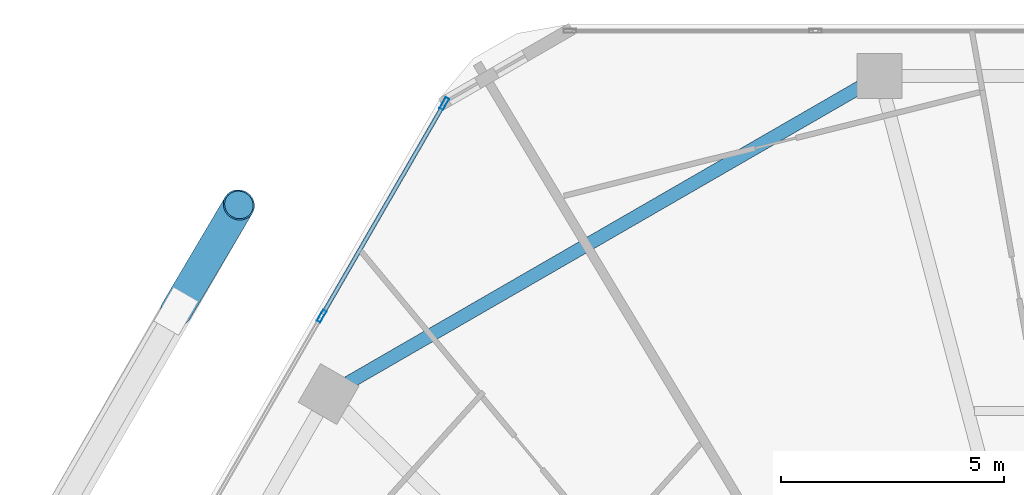
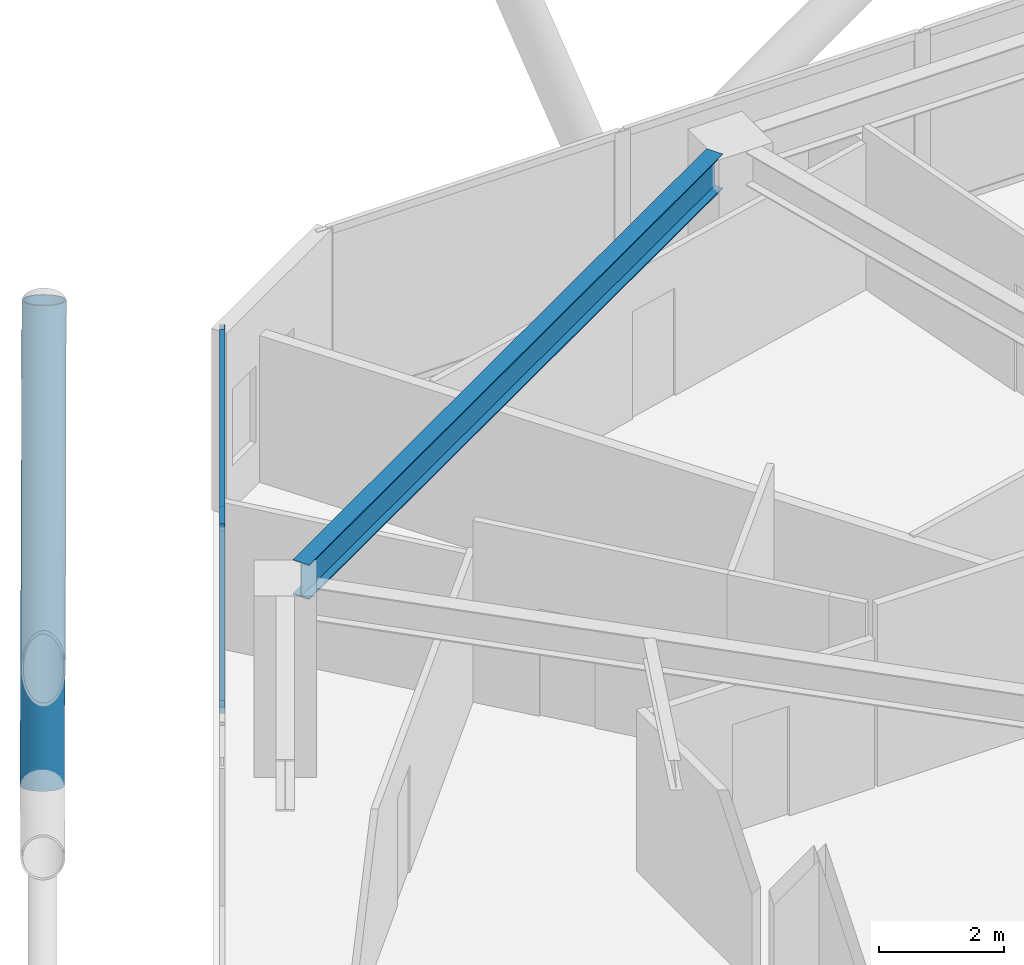
# One storey, part 13 of 28: 5 members, 1 beam, 1 element without a shape of its own.
"""IFC4 building model written with IfcOpenShell, lengths in metres."""

import ifcopenshell
import ifcopenshell.guid

model = None  # the IFC model being written
_history = None  # IfcOwnerHistory: only IFC2X3 demands one
_inside = {}  # id of a spatial element -> (the spatial element, [elements in it])
_under = {}  # id of a project, library or spatial element -> (it, [spatial elements below it])
_declared = {}  # id of a project -> (the project, [libraries it declares])
_typed = {}  # id of a type object -> (the type object, [elements of that type])
_made_of = {}  # id of a material, layer set ... -> (it, [elements and type objects made of it])


def new_model(schema):
    """Start an empty IFC model of exactly this schema.

    Asked for "IFC4X3", IfcOpenShell would pick the latest addendum, in which some entities
    have other attributes; the version numbers below select the first issue.
    IFC2X3 requires an IfcOwnerHistory on every rooted entity: one is made here for all.
    """
    global model, _history
    if schema == "IFC4X3":
        model = ifcopenshell.file(schema_version=(4, 3, 0, 0))
    else:
        model = ifcopenshell.file(schema=schema)
    _inside.clear()
    _under.clear()
    _declared.clear()
    _typed.clear()
    _made_of.clear()
    _history = None
    if model.schema == "IFC2X3":
        org = make("IfcOrganization", Name="unknown")
        user = make(
            "IfcPersonAndOrganization",
            ThePerson=make("IfcPerson", FamilyName="unknown"),
            TheOrganization=org,
        )
        app = make(
            "IfcApplication",
            ApplicationDeveloper=org,
            Version="unknown",
            ApplicationFullName="unknown",
            ApplicationIdentifier="unknown",
        )
        _history = make(
            "IfcOwnerHistory",
            OwningUser=user,
            OwningApplication=app,
            ChangeAction="ADDED",
            CreationDate=0,
        )
    return model


def make(cls, **values):
    """One entity of the class cls with the attributes given. An attribute that is None is left unset."""
    return model.create_entity(
        cls, **{name: value for name, value in values.items() if value is not None}
    )


def rooted(cls, **values):
    """An entity with a GlobalId (a new one), such as an element, a storey or a relation."""
    return make(cls, GlobalId=ifcopenshell.guid.new(), OwnerHistory=_history, **values)


def si_unit(unit_type, name, prefix=None):
    """IfcSIUnit, for example si_unit("LENGTHUNIT", "METRE", prefix="MILLI")."""
    return make("IfcSIUnit", UnitType=unit_type, Prefix=prefix, Name=name)


def assignment(units):
    """IfcUnitAssignment: the units of a project."""
    return None if units is None else make("IfcUnitAssignment", Units=units)


def point(xyz):
    """IfcCartesianPoint."""
    return None if xyz is None else make("IfcCartesianPoint", Coordinates=xyz)


def direction(xyz):
    """IfcDirection."""
    return None if xyz is None else make("IfcDirection", DirectionRatios=xyz)


def frame(location, z_axis=None, x_axis=None):
    """IfcAxis2Placement3D, a coordinate frame: its origin and axes. An axis left out is left unset."""
    return make(
        "IfcAxis2Placement3D",
        Location=point(location),
        Axis=direction(z_axis),
        RefDirection=direction(x_axis),
    )


def frame_2d(location, x_axis=None):
    """IfcAxis2Placement2D, a coordinate frame in the plane: its origin and x axis."""
    return make(
        "IfcAxis2Placement2D", Location=point(location), RefDirection=direction(x_axis)
    )


def origin():
    """The frame at (0, 0, 0) with its axes left unset."""
    return frame((0.0, 0.0, 0.0))


def origin_2d():
    """The frame at (0, 0) in the plane with its x axis left unset."""
    return frame_2d((0.0, 0.0))


def place(relative_to, where):
    """IfcLocalPlacement: puts the frame where relative to a parent placement (None: the world)."""
    return make(
        "IfcLocalPlacement", PlacementRelTo=relative_to, RelativePlacement=where
    )


def context(
    kind, dimensions, precision=None, world=None, true_north=None, identifier=None
):
    """IfcGeometricRepresentationContext, for example the 3D "Model" context."""
    return make(
        "IfcGeometricRepresentationContext",
        ContextIdentifier=identifier,
        ContextType=kind,
        CoordinateSpaceDimension=dimensions,
        Precision=precision,
        WorldCoordinateSystem=world,
        TrueNorth=true_north,
    )


def subcontext(parent, identifier, kind, view, scale=None):
    """IfcGeometricRepresentationSubContext, for example "Body" below "Model"."""
    return make(
        "IfcGeometricRepresentationSubContext",
        ContextIdentifier=identifier,
        ContextType=kind,
        ParentContext=parent,
        TargetScale=scale,
        TargetView=view,
    )


def project(units=None, contexts=None):
    """IfcProject with its units and contexts."""
    return rooted(
        "IfcProject",
        Name="project",
        RepresentationContexts=contexts,
        UnitsInContext=assignment(units),
    )


def spatial(cls, under=None, at=None, **own):
    """A site, building, storey or space (cls), placed at a placement, below another one or the project."""
    s = rooted(cls, ObjectPlacement=at, **own)
    if under is not None:
        _under.setdefault(under.id(), (under, []))[1].append(s)
    return s


def profile(cls, at=None, kind="AREA", **sizes):
    """A parametric profile (cls). Its sizes go by their IFC names, for example OverallWidth=200.0."""
    return make(cls, ProfileType=kind, Position=at, **sizes)


def hollow_rectangle(**sizes):
    """IfcRectangleHollowProfileDef."""
    return profile("IfcRectangleHollowProfileDef", **sizes)


def hollow_circle(**sizes):
    """IfcCircleHollowProfileDef."""
    return profile("IfcCircleHollowProfileDef", **sizes)


def i_section(**sizes):
    """IfcIShapeProfileDef."""
    return profile("IfcIShapeProfileDef", **sizes)


def extrude(swept, where, along, depth):
    """IfcExtrudedAreaSolid: the profile swept, set in the frame where, extruded along a direction by depth."""
    return make(
        "IfcExtrudedAreaSolid",
        SweptArea=swept,
        Position=where,
        ExtrudedDirection=direction(along),
        Depth=depth,
    )


def shape(context_of_items, identifier, shape_type, items):
    """IfcShapeRepresentation: the items that make up one representation, for example the "Body"."""
    return make(
        "IfcShapeRepresentation",
        ContextOfItems=context_of_items,
        RepresentationIdentifier=identifier,
        RepresentationType=shape_type,
        Items=items,
    )


def material(Name=None, Category=None):
    """IfcMaterial."""
    return make("IfcMaterial", Name=Name, Category=Category)


def material_profile(
    of_material, cross_section, Name=None, Category=None, Priority=None
):
    """IfcMaterialProfile: a cross section and its material."""
    return make(
        "IfcMaterialProfile",
        Name=Name,
        Material=of_material,
        Profile=cross_section,
        Priority=Priority,
        Category=Category,
    )


def profile_set(profiles, Name=None, composite=None):
    """IfcMaterialProfileSet."""
    return make(
        "IfcMaterialProfileSet",
        Name=Name,
        MaterialProfiles=profiles,
        CompositeProfile=composite,
    )


def made_of(thing, what):
    """Note that an element or type object is made of a material, layer set ...; save() writes the relation."""
    if what is not None:
        _made_of.setdefault(what.id(), (what, []))[1].append(thing)
    return thing


def type_object(cls, material=None, **own):
    """A type object (cls), such as IfcWallType, which elements share."""
    return made_of(rooted(cls, **own), material)


def element(
    cls,
    number,
    at=None,
    inside=None,
    cuts=None,
    type_object=None,
    material=None,
    context=None,
    identifier="Body",
    shape_type=None,
    held_by="IfcProductDefinitionShape",
    body=None,
    shapes=None,
    **own,
):
    """One element of the class cls, such as IfcWall. Its Tag is "e" and its number.

    at: its placement. inside: the storey or other place that contains it. cuts: it is an
    opening in that element (IfcRelVoidsElement). A single representation is given by context,
    identifier, shape_type and body (its items); several are given by shapes. held_by: the class
    of the entity that holds the representations. save() writes the other relations.
    """
    e = rooted(cls, Tag="e%d" % number, ObjectPlacement=at, **own)
    if body is not None:
        shapes = [shape(context, identifier, shape_type, body)]
    if shapes is not None:
        e.Representation = make(held_by, Representations=shapes)
    if inside is not None:
        _inside.setdefault(inside.id(), (inside, []))[1].append(e)
    if cuts is not None:
        rooted(
            "IfcRelVoidsElement", RelatingBuildingElement=cuts, RelatedOpeningElement=e
        )
    if type_object is not None:
        _typed.setdefault(type_object.id(), (type_object, []))[1].append(e)
    return made_of(e, material)


def aggregate(whole, parts):
    """IfcRelAggregates: a whole, such as a stair, and the parts it consists of."""
    return rooted("IfcRelAggregates", RelatingObject=whole, RelatedObjects=parts)


def save(model, path):
    """Write the relations noted so far, then the file.

    IfcRelAggregates (storeys below a building ...), IfcRelContainedInSpatialStructure (elements
    in a storey), IfcRelDefinesByType, IfcRelAssociatesMaterial and IfcRelDeclares: one each for
    every whole, place, type object, material and project.
    """
    for whole, parts in _under.values():
        aggregate(whole, parts)
    for where, things in _inside.values():
        rooted(
            "IfcRelContainedInSpatialStructure",
            RelatedElements=things,
            RelatingStructure=where,
        )
    for kind, things in _typed.values():
        rooted("IfcRelDefinesByType", RelatedObjects=things, RelatingType=kind)
    for what, things in _made_of.values():
        rooted("IfcRelAssociatesMaterial", RelatedObjects=things, RelatingMaterial=what)
    for by, libraries in _declared.values():
        rooted("IfcRelDeclares", RelatingContext=by, RelatedDefinitions=libraries)
    model.write(path)


model = new_model("IFC4")

# Units and contexts
model_context = context("Model", 3, precision=1e-05, world=origin(), true_north=direction((0.0, 1.0)))
body_context = subcontext(model_context, "Body", "Model", "MODEL_VIEW")
ifc_project = project(units=[si_unit("LENGTHUNIT", "METRE"), si_unit("AREAUNIT", "SQUARE_METRE"), si_unit("VOLUMEUNIT", "CUBIC_METRE"), si_unit("PLANEANGLEUNIT", "RADIAN"), si_unit("MASSUNIT", "GRAM", prefix="KILO")], contexts=[model_context])

# Site, building, storey
site_placement = place(None, origin())
site = spatial("IfcSite", under=ifc_project, at=site_placement, CompositionType="ELEMENT")
building_placement = place(site_placement, origin())
building = spatial("IfcBuilding", under=site, at=building_placement, Name="Zuhravey Tower", CompositionType="ELEMENT")
storey_placement = place(building_placement, frame((0.0, 0.0, 169.39990234375)))
storey = spatial("IfcBuildingStorey", under=building, at=storey_placement, Name="L42", CompositionType="ELEMENT", Elevation=169.39990234375)

# Curtain wall, members
ifc_material_1 = material(Name="Thermally broken anodised aluminium", Category="aluminium")
curtain_wall_type = type_object("IfcCurtainWallType", Name="Zone 1-2 Residential Curtain Wall CW3", PredefinedType="NOTDEFINED", material=ifc_material_1)
curtain_wall_placement = place(storey_placement, origin())
curtain_wall = element("IfcCurtainWall", 1, at=curtain_wall_placement, inside=storey, type_object=curtain_wall_type, Name="L42 CW3 CW-L42-F3-1", PredefinedType="NOTDEFINED")
ifc_material_2 = material(Name="Anodised aluminium", Category="aluminium")
ifc_material_profile_1 = material_profile(ifc_material_2, hollow_rectangle(XDim=0.090087890625, YDim=0.284912109375, WallThickness=0.0048828125, at=origin_2d()), Name="ALU-RHS-90x285x5")
ifc_profile_set_1 = profile_set([ifc_material_profile_1], Name="Anodised aluminium")
member_type_1 = type_object("IfcMemberType", Name="Curtain-Wall Mullion 90x180", PredefinedType="MULLION", material=ifc_profile_set_1)
member_1_placement = place(storey_placement, frame((16.6171875, 52.7939453125, 0.0), z_axis=(0.0, 0.0, 1.0), x_axis=(-0.866025138215, 0.500000459979, 0.0)))
member_1 = element("IfcMember", 2, at=member_1_placement, type_object=member_type_1, Name="CW3 mullion 5", PredefinedType="MULLION", context=body_context, shape_type="SweptSolid", body=[
    extrude(hollow_rectangle(XDim=0.090087890625, YDim=0.284912109375, WallThickness=0.0048828125, at=origin_2d()), origin(), (0.0, 0.0, 1.0), 3.550048828125),
])
member_2_placement = place(storey_placement, frame((19.36669921875, 57.556640625, 0.0), z_axis=(0.0, 0.0, 1.0), x_axis=(-0.866025138215, 0.500000459979, 0.0)))
member_2 = element("IfcMember", 3, at=member_2_placement, type_object=member_type_1, Name="CW3 mullion 6", PredefinedType="MULLION", context=body_context, shape_type="SweptSolid", body=[
    extrude(hollow_rectangle(XDim=0.090087890625, YDim=0.284912109375, WallThickness=0.0048828125, at=origin_2d()), origin(), (0.0, 0.0, 1.0), 3.550048828125),
])
ifc_material_profile_2 = material_profile(ifc_material_2, hollow_rectangle(XDim=0.090087890625, YDim=0.14990234375, WallThickness=0.0048828125, at=origin_2d()), Name="ALU-RHS-90x150x5")
ifc_profile_set_2 = profile_set([ifc_material_profile_2], Name="Anodised aluminium")
member_type_2 = type_object("IfcMemberType", Name="Curtain-Wall Transom 90x150", PredefinedType="USERDEFINED", material=ifc_profile_set_2)
member_3_placement = place(storey_placement, frame((16.6396484375, 52.8330078125, 0.045166015625), z_axis=(0.499993332629, 0.866029253159, 0.0), x_axis=(-0.866029253159, 0.499993332629, 0.0)))
member_3 = element("IfcMember", 4, at=member_3_placement, type_object=member_type_2, Name="CW3 transom 5.1", ObjectType="TRANSOM", PredefinedType="USERDEFINED", context=body_context, shape_type="SweptSolid", body=[
    extrude(hollow_rectangle(XDim=0.090087890625, YDim=0.14990234375, WallThickness=0.0048828125, at=origin_2d()), origin(), (0.0, 0.0, 1.0), 5.4091796875),
])
member_4_placement = place(storey_placement, frame((16.6396484375, 52.8330078125, 3.505126953125), z_axis=(0.499993332629, 0.866029253159, 0.0), x_axis=(-0.866029253159, 0.499993332629, 0.0)))
member_4 = element("IfcMember", 5, at=member_4_placement, type_object=member_type_2, Name="CW3 transom 5.2", ObjectType="TRANSOM", PredefinedType="USERDEFINED", context=body_context, shape_type="SweptSolid", body=[
    extrude(hollow_rectangle(XDim=0.090087890625, YDim=0.14990234375, WallThickness=0.0048828125, at=origin_2d()), origin(), (0.0, 0.0, 1.0), 5.4091796875),
])
aggregate(curtain_wall, [member_1, member_2, member_3, member_4])

# Member
ifc_material_3 = material(Name="Steel SM460", Category="steel")
ifc_material_profile_3 = material_profile(ifc_material_3, hollow_circle(Radius=0.355712890625, WallThickness=0.031982421875, at=origin_2d()), Name="CHS-711.2x32")
ifc_profile_set_3 = profile_set([ifc_material_profile_3], Name="Steel SM460")
member_type_3 = type_object("IfcMemberType", Name="Exoskeleton Zone 2 Diagrid CHS711x32", PredefinedType="BRACE", material=ifc_profile_set_3)
member_5_placement = place(storey_placement, frame((13.358642578125, 52.910400390625, -0.44384765625), z_axis=(0.174643023153, 0.295076026787, 0.939377428343), x_axis=(-0.8605687688, 0.509334265651, 0.0)))
element("IfcMember", 6, at=member_5_placement, inside=storey, type_object=member_type_3, Name="L42 Face 3 Diagrid Brace 1", PredefinedType="BRACE", context=body_context, shape_type="SweptSolid", body=[
    extrude(hollow_circle(Radius=0.355712890625, WallThickness=0.031982421875, at=origin_2d()), origin(), (0.0, 0.0, 1.0), 8.0478515625),
])

# Beam
ifc_material_4 = material(Name="Steel SM355", Category="steel")
ifc_material_profile_4 = material_profile(ifc_material_4, i_section(OverallWidth=0.300048828125, OverallDepth=0.679931640625, WebThickness=0.012939453125, FlangeThickness=0.02197265625, at=origin_2d()), Name="H-680x300x13x22")
ifc_profile_set_4 = profile_set([ifc_material_profile_4], Name="Steel SM355")
beam_type = type_object("IfcBeamType", Name="Perimeter Ring Beam H680x300", PredefinedType="BEAM", material=ifc_profile_set_4)
beam_placement = place(storey_placement, frame((28.682373046875, 57.921630859375, 3.210205078125), z_axis=(-0.866022923061, -0.500004296715, 0.0), x_axis=(0.500004296715, -0.866022923061, 0.0)))
element("IfcBeam", 7, at=beam_placement, inside=storey, type_object=beam_type, Name="L42 PB2 BM-L42-PB-04", PredefinedType="BEAM", context=body_context, shape_type="SweptSolid", body=[
    extrude(i_section(OverallWidth=0.300048828125, OverallDepth=0.679931640625, WebThickness=0.012939453125, FlangeThickness=0.02197265625, at=origin_2d()), origin(), (0.0, 0.0, 1.0), 13.2470703125),
])

save(model, "model.ifc")
